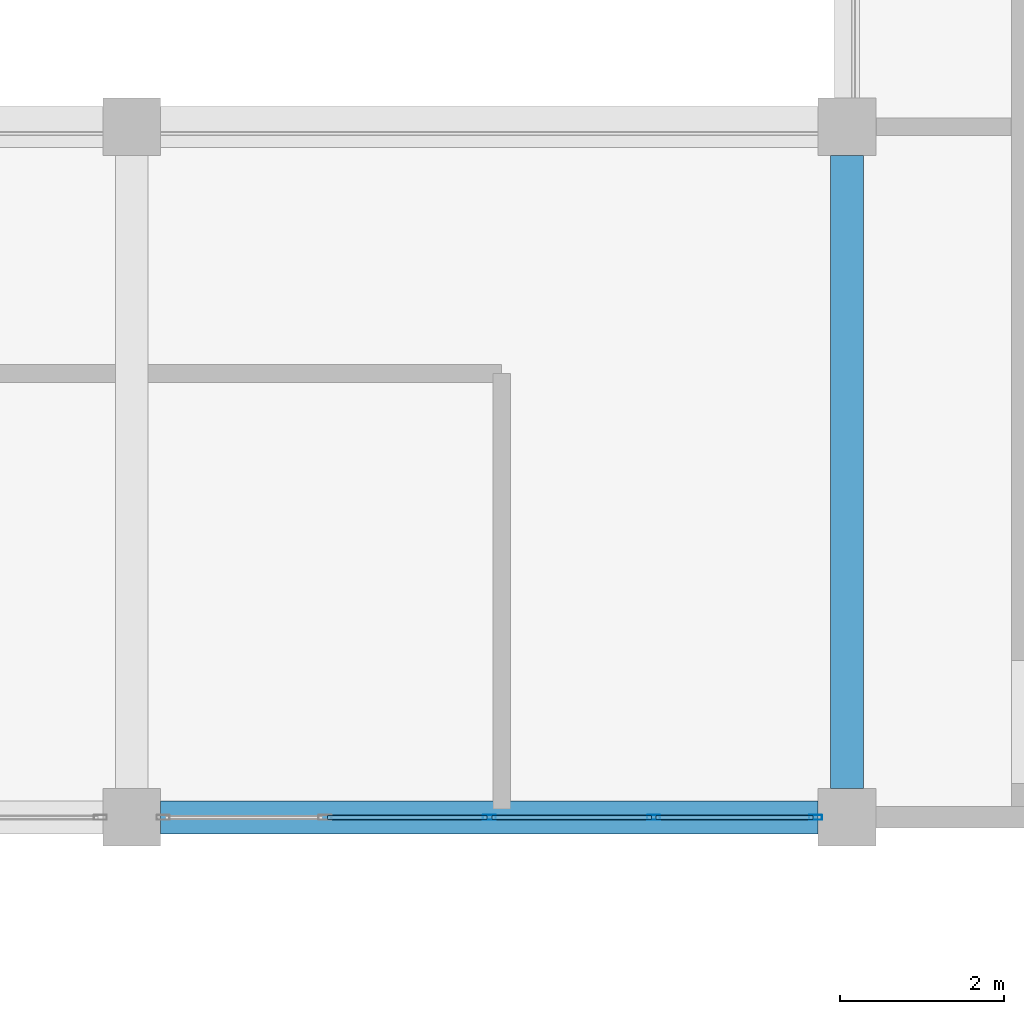
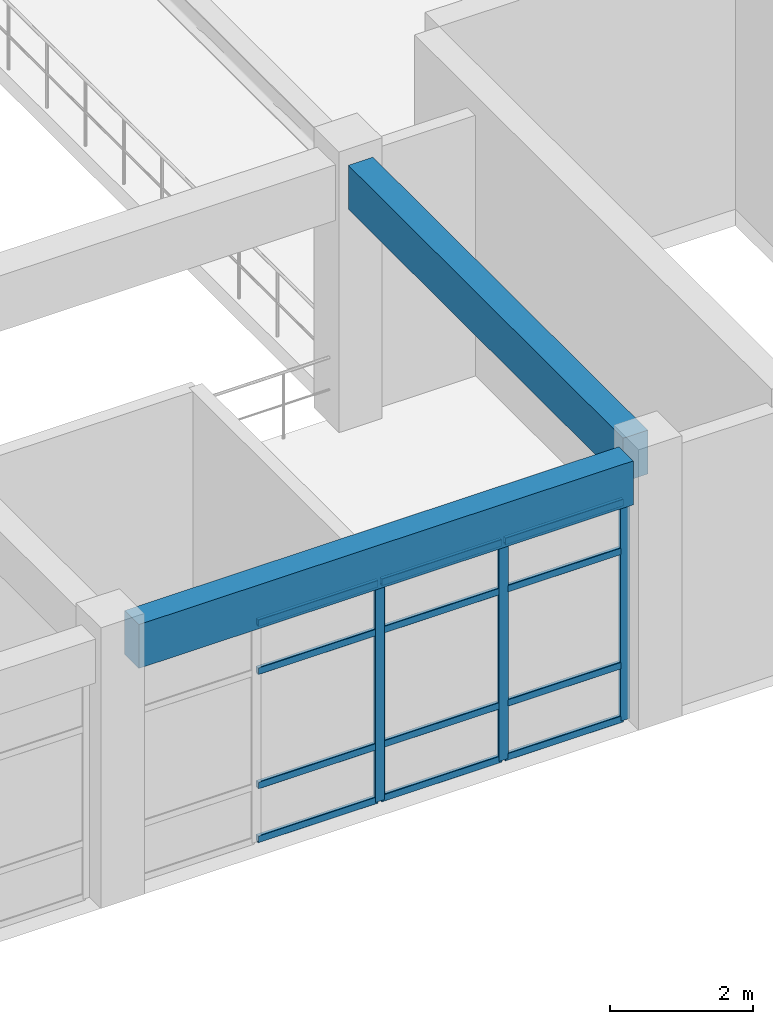
# One storey, part 29 of 64: 15 members, 2 beams, 1 element without a shape of its own.
"""IFC4 building model written with IfcOpenShell, lengths in metres."""

from ifc_helpers import new_model, si_unit, derived_unit, direction, frame, origin, origin_2d, place, context, subcontext, project, spatial, rectangle, hollow_rectangle, extrude, material, layer, layer_set, material_profile, profile_set, type_object, element, aggregate, save


model = new_model("IFC4")

# Units and contexts
model_context = context("Model", 3, precision=1e-05, world=origin(), true_north=direction((0.0, 1.0)))
body_context = subcontext(model_context, "Body", "Model", "MODEL_VIEW")
ifc_project = project(units=[si_unit("LENGTHUNIT", "METRE"), si_unit("AREAUNIT", "SQUARE_METRE"), si_unit("VOLUMEUNIT", "CUBIC_METRE"), si_unit("PLANEANGLEUNIT", "RADIAN"), si_unit("MASSUNIT", "GRAM", prefix="KILO"), derived_unit("THERMALTRANSMITTANCEUNIT", [(si_unit("MASSUNIT", "GRAM", prefix="KILO"), 1), (si_unit("TIMEUNIT", "SECOND"), -3), (si_unit("THERMODYNAMICTEMPERATUREUNIT", "KELVIN"), -1)])], contexts=[model_context])

# Site, building, storey
site_placement = place(None, origin())
site = spatial("IfcSite", under=ifc_project, at=site_placement, CompositionType="ELEMENT")
building_placement = place(site_placement, origin())
building = spatial("IfcBuilding", under=site, at=building_placement, Name="Qinzheling Arcade Emporium", CompositionType="ELEMENT")
storey_placement = place(building_placement, frame((0.0, 0.0, 31.5)))
storey = spatial("IfcBuildingStorey", under=building, at=storey_placement, Name="L07", CompositionType="ELEMENT", Elevation=31.5)

# Curtain wall, members
ifc_material_1 = material(Name="Anodised aluminium and solar-control double glazing", Category="aluminium")
ifc_layer = layer(ifc_material_1, 0.159912109375, Name="Anodised aluminium and solar-control double glazing", Category="aluminium")
ifc_layer_set = layer_set([ifc_layer], Name="Anodised aluminium and solar-control double glazing")
curtain_wall_type = type_object("IfcCurtainWallType", Name="Atrium Clerestory Curtain Wall", PredefinedType="NOTDEFINED", material=ifc_layer_set)
curtain_wall_placement = place(storey_placement, origin())
curtain_wall = element("IfcCurtainWall", 1, at=curtain_wall_placement, inside=storey, type_object=curtain_wall_type, Name="Curtain Wall CW-L07-429", PredefinedType="NOTDEFINED")
ifc_material_2 = material(Name="Anodised aluminium 6063-T6", Category="aluminium")
ifc_material_profile_1 = material_profile(ifc_material_2, hollow_rectangle(XDim=0.06005859375, YDim=0.159912109375, WallThickness=0.00390625, InnerFilletRadius=0.00390625, OuterFilletRadius=0.008056640625, at=origin_2d()), Name="RHS 160x60x4", Category="aluminium")
ifc_profile_set_1 = profile_set([ifc_material_profile_1], Name="Anodised aluminium 6063-T6")
member_type_1 = type_object("IfcMemberType", Name="Curtain Wall Mullion RHS160x60", PredefinedType="MULLION", material=ifc_profile_set_1)
member_1_placement = place(storey_placement, frame((86.617919921875, 42.0, 0.0), z_axis=(0.0, 0.0, 1.0), x_axis=(0.0, -1.0, 0.0)))
member_1 = element("IfcMember", 2, at=member_1_placement, type_object=member_type_1, Name="CW03 mullion 1", PredefinedType="MULLION", context=body_context, shape_type="SweptSolid", body=[
    extrude(hollow_rectangle(XDim=0.06005859375, YDim=0.159912109375, WallThickness=0.00390625, InnerFilletRadius=0.00390625, OuterFilletRadius=0.008056640625, at=origin_2d()), origin(), (0.0, 0.0, 1.0), 3.7548828125),
])
member_2_placement = place(storey_placement, frame((84.64892578125, 42.0, 0.0), z_axis=(0.0, 0.0, 1.0), x_axis=(0.0, -1.0, 0.0)))
member_2 = element("IfcMember", 3, at=member_2_placement, type_object=member_type_1, Name="CW03 mullion 2", PredefinedType="MULLION", context=body_context, shape_type="SweptSolid", body=[
    extrude(hollow_rectangle(XDim=0.06005859375, YDim=0.159912109375, WallThickness=0.00390625, InnerFilletRadius=0.00390625, OuterFilletRadius=0.008056640625, at=origin_2d()), origin(), (0.0, 0.0, 1.0), 3.7548828125),
])
member_3_placement = place(storey_placement, frame((82.64990234375, 42.0, 0.0), z_axis=(0.0, 0.0, 1.0), x_axis=(0.0, -1.0, 0.0)))
member_3 = element("IfcMember", 4, at=member_3_placement, type_object=member_type_1, Name="CW03 mullion 3", PredefinedType="MULLION", context=body_context, shape_type="SweptSolid", body=[
    extrude(hollow_rectangle(XDim=0.06005859375, YDim=0.159912109375, WallThickness=0.00390625, InnerFilletRadius=0.00390625, OuterFilletRadius=0.008056640625, at=origin_2d()), origin(), (0.0, 0.0, 1.0), 3.7548828125),
])
ifc_material_profile_2 = material_profile(ifc_material_2, hollow_rectangle(XDim=0.06005859375, YDim=0.1201171875, WallThickness=0.00390625, InnerFilletRadius=0.00390625, OuterFilletRadius=0.008056640625, at=origin_2d()), Name="RHS 120x60x4", Category="aluminium")
ifc_profile_set_2 = profile_set([ifc_material_profile_2], Name="Anodised aluminium 6063-T6")
member_type_2 = type_object("IfcMemberType", Name="Curtain Wall Transom RHS120x60", PredefinedType="USERDEFINED", material=ifc_profile_set_2)
member_4_placement = place(storey_placement, frame((86.587890625, 42.0, 0.030029296875), z_axis=(-1.0, 0.0, 0.0), x_axis=(0.0, -1.0, 0.0)))
member_4 = element("IfcMember", 5, at=member_4_placement, type_object=member_type_2, Name="CW03 transom 1.1", ObjectType="TRANSOM", PredefinedType="USERDEFINED", context=body_context, shape_type="SweptSolid", body=[
    extrude(hollow_rectangle(XDim=0.06005859375, YDim=0.1201171875, WallThickness=0.00390625, InnerFilletRadius=0.00390625, OuterFilletRadius=0.008056640625, at=origin_2d()), origin(), (0.0, 0.0, 1.0), 1.908935546875),
])
member_5_placement = place(storey_placement, frame((86.587890625, 42.0, 0.949951171875), z_axis=(-1.0, 0.0, 0.0), x_axis=(0.0, -1.0, 0.0)))
member_5 = element("IfcMember", 6, at=member_5_placement, type_object=member_type_2, Name="CW03 transom 1.2", ObjectType="TRANSOM", PredefinedType="USERDEFINED", context=body_context, shape_type="SweptSolid", body=[
    extrude(hollow_rectangle(XDim=0.06005859375, YDim=0.1201171875, WallThickness=0.00390625, InnerFilletRadius=0.00390625, OuterFilletRadius=0.008056640625, at=origin_2d()), origin(), (0.0, 0.0, 1.0), 1.908935546875),
])
member_6_placement = place(storey_placement, frame((86.587890625, 42.0, 2.905029296875), z_axis=(-1.0, 0.0, 0.0), x_axis=(0.0, -1.0, 0.0)))
member_6 = element("IfcMember", 7, at=member_6_placement, type_object=member_type_2, Name="CW03 transom 1.3", ObjectType="TRANSOM", PredefinedType="USERDEFINED", context=body_context, shape_type="SweptSolid", body=[
    extrude(hollow_rectangle(XDim=0.06005859375, YDim=0.1201171875, WallThickness=0.00390625, InnerFilletRadius=0.00390625, OuterFilletRadius=0.008056640625, at=origin_2d()), origin(), (0.0, 0.0, 1.0), 1.908935546875),
])
member_7_placement = place(storey_placement, frame((86.587890625, 42.0, 3.72509765625), z_axis=(-1.0, 0.0, 0.0), x_axis=(0.0, -1.0, 0.0)))
member_7 = element("IfcMember", 8, at=member_7_placement, type_object=member_type_2, Name="CW03 transom 1.4", ObjectType="TRANSOM", PredefinedType="USERDEFINED", context=body_context, shape_type="SweptSolid", body=[
    extrude(hollow_rectangle(XDim=0.06005859375, YDim=0.1201171875, WallThickness=0.00390625, InnerFilletRadius=0.00390625, OuterFilletRadius=0.008056640625, at=origin_2d()), origin(), (0.0, 0.0, 1.0), 1.908935546875),
])
member_8_placement = place(storey_placement, frame((84.618896484375, 42.0, 0.030029296875), z_axis=(-1.0, 0.0, 0.0), x_axis=(0.0, -1.0, 0.0)))
member_8 = element("IfcMember", 9, at=member_8_placement, type_object=member_type_2, Name="CW03 transom 2.1", ObjectType="TRANSOM", PredefinedType="USERDEFINED", context=body_context, shape_type="SweptSolid", body=[
    extrude(hollow_rectangle(XDim=0.06005859375, YDim=0.1201171875, WallThickness=0.00390625, InnerFilletRadius=0.00390625, OuterFilletRadius=0.008056640625, at=origin_2d()), origin(), (0.0, 0.0, 1.0), 1.93896484375),
])
member_9_placement = place(storey_placement, frame((84.618896484375, 42.0, 0.949951171875), z_axis=(-1.0, 0.0, 0.0), x_axis=(0.0, -1.0, 0.0)))
member_9 = element("IfcMember", 10, at=member_9_placement, type_object=member_type_2, Name="CW03 transom 2.2", ObjectType="TRANSOM", PredefinedType="USERDEFINED", context=body_context, shape_type="SweptSolid", body=[
    extrude(hollow_rectangle(XDim=0.06005859375, YDim=0.1201171875, WallThickness=0.00390625, InnerFilletRadius=0.00390625, OuterFilletRadius=0.008056640625, at=origin_2d()), origin(), (0.0, 0.0, 1.0), 1.93896484375),
])
member_10_placement = place(storey_placement, frame((84.618896484375, 42.0, 2.905029296875), z_axis=(-1.0, 0.0, 0.0), x_axis=(0.0, -1.0, 0.0)))
member_10 = element("IfcMember", 11, at=member_10_placement, type_object=member_type_2, Name="CW03 transom 2.3", ObjectType="TRANSOM", PredefinedType="USERDEFINED", context=body_context, shape_type="SweptSolid", body=[
    extrude(hollow_rectangle(XDim=0.06005859375, YDim=0.1201171875, WallThickness=0.00390625, InnerFilletRadius=0.00390625, OuterFilletRadius=0.008056640625, at=origin_2d()), origin(), (0.0, 0.0, 1.0), 1.93896484375),
])
member_11_placement = place(storey_placement, frame((84.618896484375, 42.0, 3.72509765625), z_axis=(-1.0, 0.0, 0.0), x_axis=(0.0, -1.0, 0.0)))
member_11 = element("IfcMember", 12, at=member_11_placement, type_object=member_type_2, Name="CW03 transom 2.4", ObjectType="TRANSOM", PredefinedType="USERDEFINED", context=body_context, shape_type="SweptSolid", body=[
    extrude(hollow_rectangle(XDim=0.06005859375, YDim=0.1201171875, WallThickness=0.00390625, InnerFilletRadius=0.00390625, OuterFilletRadius=0.008056640625, at=origin_2d()), origin(), (0.0, 0.0, 1.0), 1.93896484375),
])
member_12_placement = place(storey_placement, frame((82.6201171875, 42.0, 0.030029296875), z_axis=(-1.0, 0.0, 0.0), x_axis=(0.0, -1.0, 0.0)))
member_12 = element("IfcMember", 13, at=member_12_placement, type_object=member_type_2, Name="CW03 transom 3.1", ObjectType="TRANSOM", PredefinedType="USERDEFINED", context=body_context, shape_type="SweptSolid", body=[
    extrude(hollow_rectangle(XDim=0.06005859375, YDim=0.1201171875, WallThickness=0.00390625, InnerFilletRadius=0.00390625, OuterFilletRadius=0.008056640625, at=origin_2d()), origin(), (0.0, 0.0, 1.0), 1.939208984375),
])
member_13_placement = place(storey_placement, frame((82.6201171875, 42.0, 0.949951171875), z_axis=(-1.0, 0.0, 0.0), x_axis=(0.0, -1.0, 0.0)))
member_13 = element("IfcMember", 14, at=member_13_placement, type_object=member_type_2, Name="CW03 transom 3.2", ObjectType="TRANSOM", PredefinedType="USERDEFINED", context=body_context, shape_type="SweptSolid", body=[
    extrude(hollow_rectangle(XDim=0.06005859375, YDim=0.1201171875, WallThickness=0.00390625, InnerFilletRadius=0.00390625, OuterFilletRadius=0.008056640625, at=origin_2d()), origin(), (0.0, 0.0, 1.0), 1.939208984375),
])
member_14_placement = place(storey_placement, frame((82.6201171875, 42.0, 2.905029296875), z_axis=(-1.0, 0.0, 0.0), x_axis=(0.0, -1.0, 0.0)))
member_14 = element("IfcMember", 15, at=member_14_placement, type_object=member_type_2, Name="CW03 transom 3.3", ObjectType="TRANSOM", PredefinedType="USERDEFINED", context=body_context, shape_type="SweptSolid", body=[
    extrude(hollow_rectangle(XDim=0.06005859375, YDim=0.1201171875, WallThickness=0.00390625, InnerFilletRadius=0.00390625, OuterFilletRadius=0.008056640625, at=origin_2d()), origin(), (0.0, 0.0, 1.0), 1.939208984375),
])
member_15_placement = place(storey_placement, frame((82.6201171875, 42.0, 3.72509765625), z_axis=(-1.0, 0.0, 0.0), x_axis=(0.0, -1.0, 0.0)))
member_15 = element("IfcMember", 16, at=member_15_placement, type_object=member_type_2, Name="CW03 transom 3.4", ObjectType="TRANSOM", PredefinedType="USERDEFINED", context=body_context, shape_type="SweptSolid", body=[
    extrude(hollow_rectangle(XDim=0.06005859375, YDim=0.1201171875, WallThickness=0.00390625, InnerFilletRadius=0.00390625, OuterFilletRadius=0.008056640625, at=origin_2d()), origin(), (0.0, 0.0, 1.0), 1.939208984375),
])
aggregate(curtain_wall, [member_1, member_2, member_3, member_4, member_5, member_6, member_7, member_8, member_9, member_10, member_11, member_12, member_13, member_14, member_15])

# Beams
ifc_material_3 = material(Name="Concrete C40", Category="concrete")
ifc_material_profile_3 = material_profile(ifc_material_3, rectangle(XDim=0.39990234375, YDim=0.75, at=origin_2d()), Name="RC 400x750", Category="concrete")
ifc_profile_set_3 = profile_set([ifc_material_profile_3], Name="Concrete C40")
beam_type = type_object("IfcBeamType", Name="RC Interior Tie Beam 400x750 C40", PredefinedType="BEAM", material=ifc_profile_set_3)
beam_1_placement = place(storey_placement, frame((78.64990234375, 42.0, 4.14501953125), z_axis=(1.0, 0.0, 0.0), x_axis=(0.0, 1.0, 0.0)))
element("IfcBeam", 17, at=beam_1_placement, inside=storey, type_object=beam_type, Name="Beam BM-L07-X-F-10", PredefinedType="BEAM", context=body_context, shape_type="SweptSolid", body=[
    extrude(rectangle(XDim=0.39990234375, YDim=0.75, at=origin_2d()), origin(), (0.0, 0.0, 1.0), 8.0),
])
beam_2_placement = place(storey_placement, frame((87.0, 42.35009765625, 4.14501953125), z_axis=(0.0, 1.0, 0.0), x_axis=(-1.0, 0.0, 0.0)))
element("IfcBeam", 18, at=beam_2_placement, inside=storey, type_object=beam_type, Name="Beam BM-L07-Y-11-F", PredefinedType="BEAM", context=body_context, shape_type="SweptSolid", body=[
    extrude(rectangle(XDim=0.39990234375, YDim=0.75, at=origin_2d()), origin(), (0.0, 0.0, 1.0), 7.699951171875),
])

save(model, "model.ifc")
